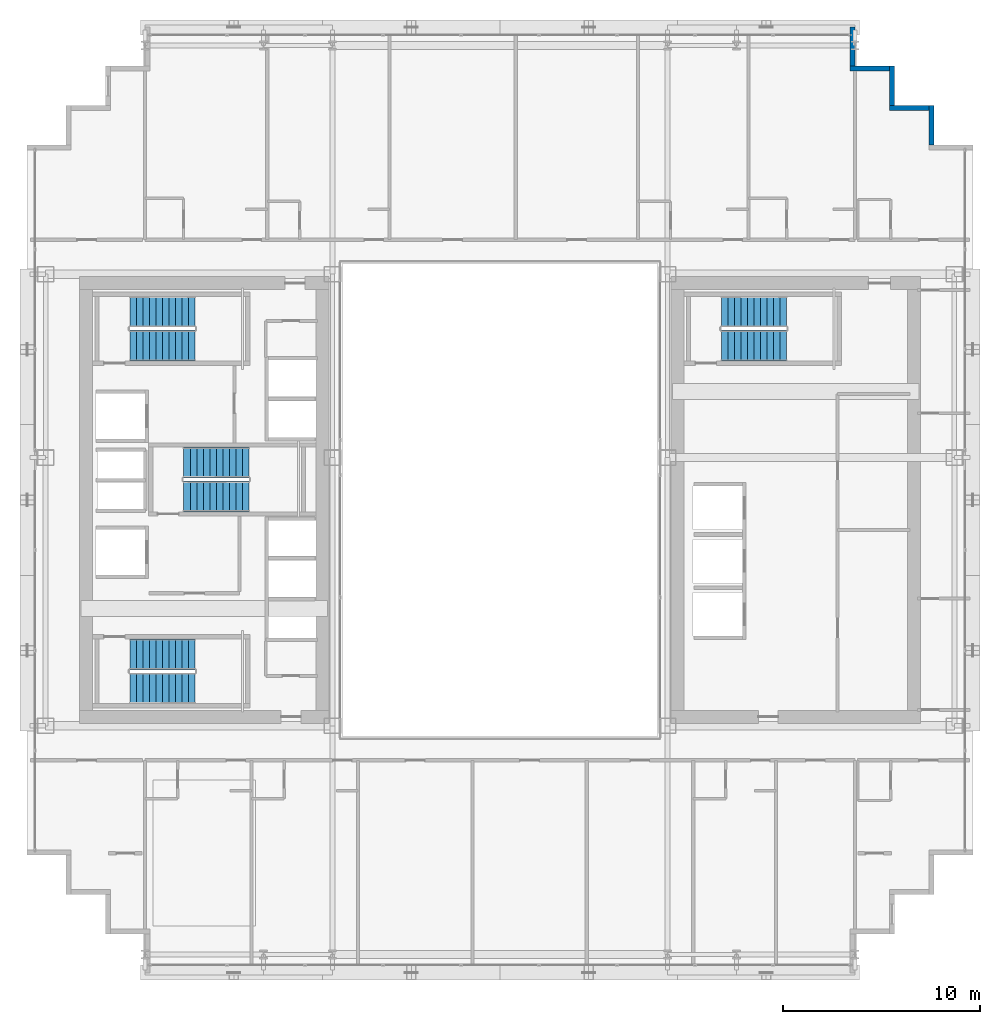
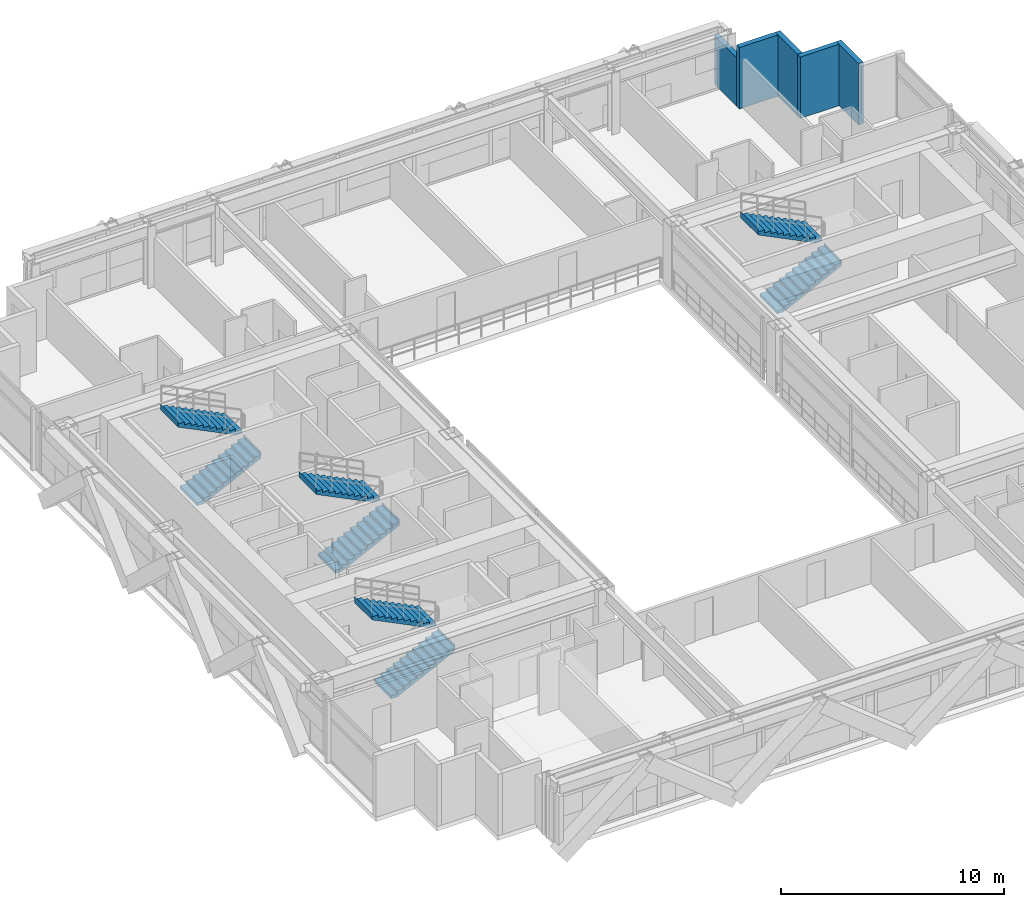
# One storey, part 35 of 39: 8 stair flights, 5 walls, 4 elements without a shape of their own.
"""IFC4 building model written with IfcOpenShell, lengths in metres."""

from ifc_helpers import new_model, si_unit, direction, frame, frame_2d, origin, place, context, subcontext, project, spatial, polyline, rectangle, outline, extrude, source, transform, mapped, material, layer, layer_set, type_object, element, aggregate, save


model = new_model("IFC4")

# Units and contexts
model_context = context("Model", 3, precision=1e-05, world=origin(), true_north=direction((0.0, 1.0)))
body_context = subcontext(model_context, "Body", "Model", "MODEL_VIEW")
ifc_project = project(units=[si_unit("LENGTHUNIT", "METRE"), si_unit("AREAUNIT", "SQUARE_METRE"), si_unit("VOLUMEUNIT", "CUBIC_METRE"), si_unit("PLANEANGLEUNIT", "RADIAN"), si_unit("MASSUNIT", "GRAM", prefix="KILO")], contexts=[model_context])

# Site, building, storey
site_placement = place(None, origin())
site = spatial("IfcSite", under=ifc_project, at=site_placement, CompositionType="ELEMENT")
building_placement = place(site_placement, origin())
building = spatial("IfcBuilding", under=site, at=building_placement, Name="Ocotamira Hotel", CompositionType="ELEMENT")
storey_placement = place(building_placement, frame((0.0, 0.0, 126.0)))
storey = spatial("IfcBuildingStorey", under=building, at=storey_placement, Name="L31", CompositionType="ELEMENT", Elevation=126.0)

# Walls
ifc_material_1 = material(Name="Precast concrete C45/55", Category="concrete")
ifc_layer = layer(ifc_material_1, 0.25)
ifc_layer_set = layer_set([ifc_layer], Name="Precast concrete C45/55")
wall_type = type_object("IfcWallType", Name="WL-EXT-SER-250", PredefinedType="SOLIDWALL", material=ifc_layer_set)
for number, where, z_axis, x_axis, name in (
    (1, (53.875, 44.0, 0.0), (0.0, 0.0, 1.0), (0.0, 1.0, 0.0), "L31 Serrated Corner Wall 08"),
    (2, (53.75, 45.875, 0.0), (0.0, 0.0, 1.0), (-1.0, 0.0, 0.0), "L31 Serrated Corner Wall 09"),
    (3, (51.875, 46.0, 0.0), (0.0, 0.0, 1.0), (0.0, 1.0, 0.0), "L31 Serrated Corner Wall 10"),
    (4, (51.75, 47.875, 0.0), (0.0, 0.0, 1.0), (-1.0, 0.0, 0.0), "L31 Serrated Corner Wall 11"),
):
    element("IfcWall", number, at=place(storey_placement, frame(where, z_axis=z_axis, x_axis=x_axis)), inside=storey, type_object=wall_type, Name=name, PredefinedType="SOLIDWALL", context=body_context, shape_type="SweptSolid", body=[
        extrude(rectangle(XDim=2.0, YDim=0.25, at=frame_2d((1.0, 0.0))), origin(), (0.0, 0.0, 1.0), 3.360107421875),
    ])
wall_placement = place(storey_placement, frame((49.875, 48.0, 0.0), z_axis=(0.0, 0.0, 1.0), x_axis=(0.0, 1.0, 0.0)))
element("IfcWall", 5, at=wall_placement, inside=storey, type_object=wall_type, Name="L31 Serrated Corner Wall 12", PredefinedType="SOLIDWALL", context=body_context, shape_type="SweptSolid", body=[
    extrude(rectangle(XDim=2.0, YDim=0.25, at=frame_2d((1.0, 0.0))), origin(), (0.0, 0.0, 1.0), 2.6669921875),
])

# Stair, stair flights
ifc_material_2 = material(Name="Concrete C40/50", Category="concrete")
stair_type = type_object("IfcStairType", Name="ST-CORE-1560", PredefinedType="HALF_TURN_STAIR", material=ifc_material_2)
stair_1_placement = place(storey_placement, origin())
stair_1 = element("IfcStair", 6, at=stair_1_placement, inside=storey, type_object=stair_type, Name="L31 Exit Stair ST-1", PredefinedType="HALF_TURN_STAIR")
stair_flight_type = type_object("IfcStairFlightType", Name="STF-CORE-1560", PredefinedType="STRAIGHT", material=ifc_material_2)
shared_shape = source(origin(), body_context, "Body", "SweptSolid", [
    extrude(outline(polyline([(-0.00390625, 0.0), (-0.00390625, 0.16357421875), (0.330078125, 0.16357421875), (0.330078125, 0.327392578125), (0.659912109375, 0.327392578125), (0.659912109375, 0.490966796875), (0.989990234375, 0.490966796875), (0.989990234375, 0.654541015625), (1.320068359375, 0.654541015625), (1.320068359375, 0.818115234375), (1.64990234375, 0.818115234375), (1.64990234375, 0.98193359375), (1.97998046875, 0.98193359375), (1.97998046875, 1.1455078125), (2.31005859375, 1.1455078125), (2.31005859375, 1.30908203125), (2.639892578125, 1.30908203125), (2.639892578125, 1.47265625), (2.969970703125, 1.47265625), (2.969970703125, 1.636474609375), (3.300048828125, 1.636474609375), (3.300048828125, 1.800048828125), (3.303955078125, 1.800048828125), (3.303955078125, 1.468994140625), (0.33740234375, 0.0), (-0.00390625, 0.0)])), frame((0.0, 0.780029296875, 0.0), z_axis=(0.0, -1.0, 0.0), x_axis=(1.0, 0.0, 0.0)), (0.0, 0.0, 1.0), 1.56005859375),
])
stair_flight_1_placement = place(storey_placement, frame((13.22998046875, 16.449951171875, 0.0), z_axis=(0.0, 0.0, 1.0), x_axis=(1.0, 0.0, 0.0)))
stair_flight_1 = element("IfcStairFlight", 7, at=stair_flight_1_placement, type_object=stair_flight_type, Name="ST-1 flight 1", NumberOfRisers=11, NumberOfTreads=10, PredefinedType="STRAIGHT", RiserHeight=0.163636364, TreadLength=0.33, context=body_context, shape_type="MappedRepresentation", body=[
    mapped(shared_shape, transform((0.0, 0.0, 0.0), scale=1.0)),
])
stair_flight_2_placement = place(storey_placement, frame((16.530029296875, 18.169921875, 1.800048828125), z_axis=(0.0, 0.0, 1.0), x_axis=(-1.0, 0.0, 0.0)))
stair_flight_2 = element("IfcStairFlight", 8, at=stair_flight_2_placement, type_object=stair_flight_type, Name="ST-1 flight 2", NumberOfRisers=11, NumberOfTreads=10, PredefinedType="STRAIGHT", RiserHeight=0.163636364, TreadLength=0.33, context=body_context, shape_type="MappedRepresentation", body=[
    mapped(shared_shape, transform((0.0, 0.0, 0.0), scale=1.0)),
])
aggregate(stair_1, [stair_flight_1, stair_flight_2])

stair_2_placement = place(storey_placement, origin())
stair_2 = element("IfcStair", 9, at=stair_2_placement, inside=storey, type_object=stair_type, Name="L31 Exit Stair ST-2", PredefinedType="HALF_TURN_STAIR")
stair_flight_3_placement = place(storey_placement, frame((13.22998046875, 33.830078125, 0.0), z_axis=(0.0, 0.0, 1.0), x_axis=(1.0, 0.0, 0.0)))
stair_flight_3 = element("IfcStairFlight", 10, at=stair_flight_3_placement, type_object=stair_flight_type, Name="ST-2 flight 1", NumberOfRisers=11, NumberOfTreads=10, PredefinedType="STRAIGHT", RiserHeight=0.163636364, TreadLength=0.33, context=body_context, shape_type="MappedRepresentation", body=[
    mapped(shared_shape, transform((0.0, 0.0, 0.0), scale=1.0)),
])
stair_flight_4_placement = place(storey_placement, frame((16.530029296875, 35.550048828125, 1.800048828125), z_axis=(0.0, 0.0, 1.0), x_axis=(-1.0, 0.0, 0.0)))
stair_flight_4 = element("IfcStairFlight", 11, at=stair_flight_4_placement, type_object=stair_flight_type, Name="ST-2 flight 2", NumberOfRisers=11, NumberOfTreads=10, PredefinedType="STRAIGHT", RiserHeight=0.163636364, TreadLength=0.33, context=body_context, shape_type="MappedRepresentation", body=[
    mapped(shared_shape, transform((0.0, 0.0, 0.0), scale=1.0)),
])
aggregate(stair_2, [stair_flight_3, stair_flight_4])

stair_3_placement = place(storey_placement, origin())
stair_3 = element("IfcStair", 12, at=stair_3_placement, inside=storey, type_object=stair_type, Name="L31 Exit Stair ST-3", PredefinedType="HALF_TURN_STAIR")
stair_flight_5_placement = place(storey_placement, frame((15.9599609375, 26.179931640625, 0.0), z_axis=(0.0, 0.0, 1.0), x_axis=(1.0, 0.0, 0.0)))
stair_flight_5 = element("IfcStairFlight", 13, at=stair_flight_5_placement, type_object=stair_flight_type, Name="ST-3 flight 1", NumberOfRisers=11, NumberOfTreads=10, PredefinedType="STRAIGHT", RiserHeight=0.163636364, TreadLength=0.33, context=body_context, shape_type="MappedRepresentation", body=[
    mapped(shared_shape, transform((0.0, 0.0, 0.0), scale=1.0)),
])
stair_flight_6_placement = place(storey_placement, frame((19.260009765625, 27.89990234375, 1.800048828125), z_axis=(0.0, 0.0, 1.0), x_axis=(-1.0, 0.0, 0.0)))
stair_flight_6 = element("IfcStairFlight", 14, at=stair_flight_6_placement, type_object=stair_flight_type, Name="ST-3 flight 2", NumberOfRisers=11, NumberOfTreads=10, PredefinedType="STRAIGHT", RiserHeight=0.163636364, TreadLength=0.33, context=body_context, shape_type="MappedRepresentation", body=[
    mapped(shared_shape, transform((0.0, 0.0, 0.0), scale=1.0)),
])
aggregate(stair_3, [stair_flight_5, stair_flight_6])

stair_4_placement = place(storey_placement, origin())
stair_4 = element("IfcStair", 15, at=stair_4_placement, inside=storey, type_object=stair_type, Name="L31 Exit Stair ST-4", PredefinedType="HALF_TURN_STAIR")
stair_flight_7_placement = place(storey_placement, frame((43.22998046875, 33.830078125, 0.0), z_axis=(0.0, 0.0, 1.0), x_axis=(1.0, 0.0, 0.0)))
stair_flight_7 = element("IfcStairFlight", 16, at=stair_flight_7_placement, type_object=stair_flight_type, Name="ST-4 flight 1", NumberOfRisers=11, NumberOfTreads=10, PredefinedType="STRAIGHT", RiserHeight=0.163636364, TreadLength=0.33, context=body_context, shape_type="MappedRepresentation", body=[
    mapped(shared_shape, transform((0.0, 0.0, 0.0), scale=1.0)),
])
stair_flight_8_placement = place(storey_placement, frame((46.530029296875, 35.550048828125, 1.800048828125), z_axis=(0.0, 0.0, 1.0), x_axis=(-1.0, 0.0, 0.0)))
stair_flight_8 = element("IfcStairFlight", 17, at=stair_flight_8_placement, type_object=stair_flight_type, Name="ST-4 flight 2", NumberOfRisers=11, NumberOfTreads=10, PredefinedType="STRAIGHT", RiserHeight=0.163636364, TreadLength=0.33, context=body_context, shape_type="MappedRepresentation", body=[
    mapped(shared_shape, transform((0.0, 0.0, 0.0), scale=1.0)),
])
aggregate(stair_4, [stair_flight_7, stair_flight_8])

save(model, "model.ifc")
